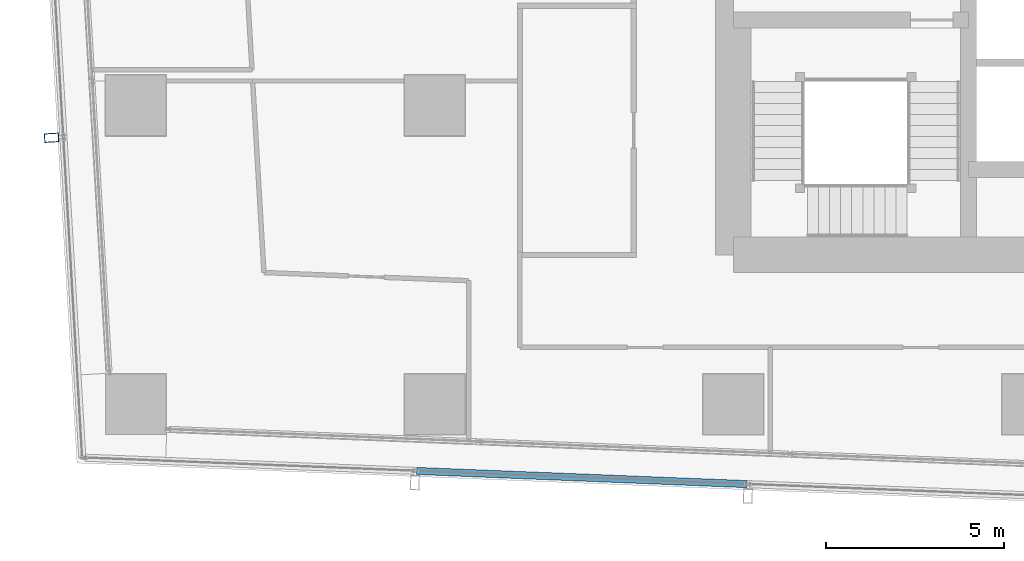
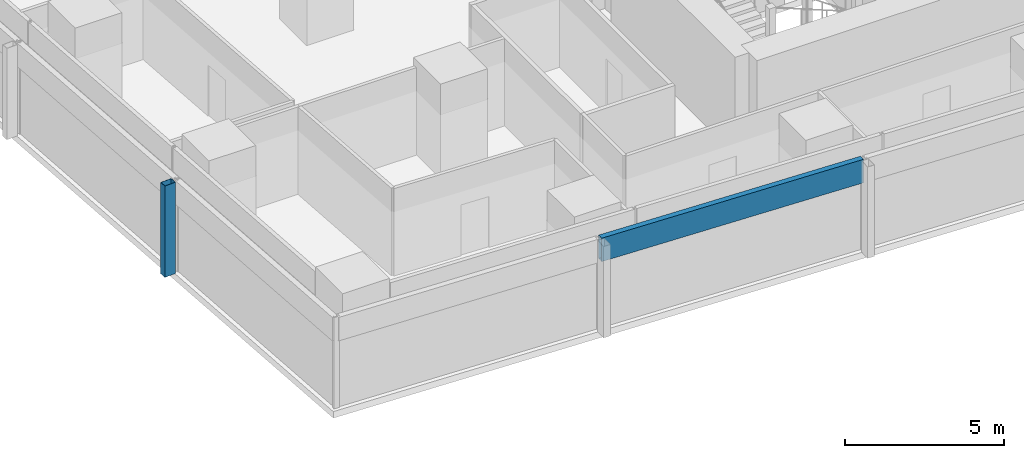
# One storey, part 4 of 39: 2 members, 2 elements without a shape of their own.
"""IFC4 building model written with IfcOpenShell, lengths in metres."""

from ifc_helpers import new_model, si_unit, direction, frame, origin, origin_2d, place, context, subcontext, project, spatial, hollow_rectangle, extrude, material, material_profile, profile_set, type_object, element, aggregate, save


model = new_model("IFC4")

# Units and contexts
model_context = context("Model", 3, precision=1e-05, world=origin(), true_north=direction((0.0, 1.0)))
body_context = subcontext(model_context, "Body", "Model", "MODEL_VIEW")
ifc_project = project(units=[si_unit("LENGTHUNIT", "METRE"), si_unit("AREAUNIT", "SQUARE_METRE"), si_unit("VOLUMEUNIT", "CUBIC_METRE"), si_unit("PLANEANGLEUNIT", "RADIAN"), si_unit("MASSUNIT", "GRAM", prefix="KILO")], contexts=[model_context])

# Site, building, storey
site_placement = place(None, origin())
site = spatial("IfcSite", under=ifc_project, at=site_placement, CompositionType="ELEMENT")
building_placement = place(site_placement, origin())
building = spatial("IfcBuilding", under=site, at=building_placement, Name="Rekha Terrace Tower", CompositionType="ELEMENT")
storey_placement = place(building_placement, frame((0.0, 0.0, 180.199951171875)))
storey = spatial("IfcBuildingStorey", under=building, at=storey_placement, Name="L45", CompositionType="ELEMENT", Elevation=180.199951171875)

# Curtain wall, member
ifc_material_1 = material(Name="Aluminium framing", Category="aluminium")
curtain_wall_type = type_object("IfcCurtainWallType", Name="CW2 double skin outer glazing", PredefinedType="USERDEFINED", material=ifc_material_1)
curtain_wall_1_placement = place(storey_placement, origin())
curtain_wall_1 = element("IfcCurtainWall", 1, at=curtain_wall_1_placement, inside=storey, type_object=curtain_wall_type, Name="CW2 double skin outer glazing", ObjectType="DOUBLE SKIN OUTER GLAZING", PredefinedType="USERDEFINED")
ifc_material_2 = material(Name="Steel S355 with fluorocarbon finish", Category="steel")
ifc_material_profile_1 = material_profile(ifc_material_2, hollow_rectangle(XDim=0.25, YDim=0.39990234375, WallThickness=0.012451171875, at=origin_2d()), Name="RHS400x250x12.5")
ifc_profile_set_1 = profile_set([ifc_material_profile_1], Name="Steel S355 with fluorocarbon finish")
member_type_1 = type_object("IfcMemberType", Name="BL1 facade blade RHS 400 x 250", PredefinedType="USERDEFINED", material=ifc_profile_set_1)
member_1_placement = place(storey_placement, frame((6.03662109375, 24.292236328125, 0.0), z_axis=(0.0, 0.0, 1.0), x_axis=(0.058764522885, -0.998271872212, 0.0)))
member_1 = element("IfcMember", 2, at=member_1_placement, type_object=member_type_1, Name="Facade blade", ObjectType="FACADE BLADE", PredefinedType="USERDEFINED", context=body_context, shape_type="SweptSolid", body=[
    extrude(hollow_rectangle(XDim=0.25, YDim=0.39990234375, WallThickness=0.012451171875, at=origin_2d()), origin(), (0.0, 0.0, 1.0), 3.5),
])
aggregate(curtain_wall_1, [member_1])

curtain_wall_2_placement = place(storey_placement, origin())
curtain_wall_2 = element("IfcCurtainWall", 3, at=curtain_wall_2_placement, inside=storey, type_object=curtain_wall_type, Name="CW2 double skin outer glazing", ObjectType="DOUBLE SKIN OUTER GLAZING", PredefinedType="USERDEFINED")
ifc_material_3 = material(Name="Insulated aluminium spandrel box", Category="aluminium")
ifc_material_profile_2 = material_profile(ifc_material_3, hollow_rectangle(XDim=0.199951171875, YDim=0.89990234375, WallThickness=0.0029296875, at=origin_2d()), Name="AL SPANDREL BOX 200x900")
ifc_profile_set_2 = profile_set([ifc_material_profile_2], Name="Insulated aluminium spandrel box")
member_type_2 = type_object("IfcMemberType", Name="CW2 spandrel transom 200 x 900", PredefinedType="USERDEFINED", material=ifc_profile_set_2)
member_2_placement = place(storey_placement, frame((16.2998046875, 14.928955078125, 3.050048828125), z_axis=(0.999205404308, -0.039856743486, 0.0), x_axis=(0.039856743486, 0.999205404308, 0.0)))
member_2 = element("IfcMember", 4, at=member_2_placement, type_object=member_type_2, Name="CW2 spandrel transom 2", ObjectType="TRANSOM", PredefinedType="USERDEFINED", context=body_context, shape_type="SweptSolid", body=[
    extrude(hollow_rectangle(XDim=0.199951171875, YDim=0.89990234375, WallThickness=0.0029296875, at=origin_2d()), origin(), (0.0, 0.0, 1.0), 9.2861328125),
])
aggregate(curtain_wall_2, [member_2])

save(model, "model.ifc")
